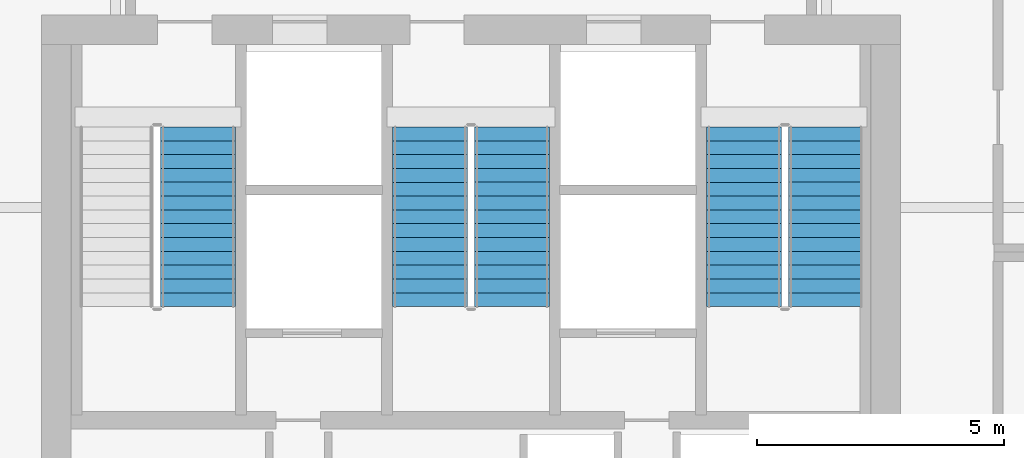
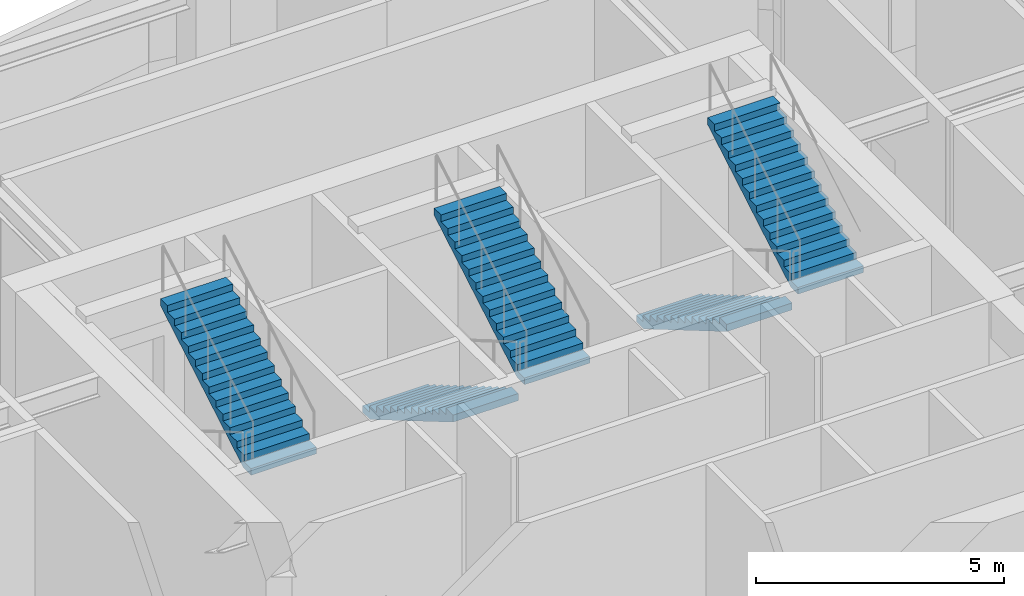
# One storey, part 5 of 9: 5 stair flights, 3 elements without a shape of their own.
"""IFC4 building model written with IfcOpenShell, lengths in metres."""

import ifcopenshell
import ifcopenshell.guid

model = None  # the IFC model being written
_history = None  # IfcOwnerHistory: only IFC2X3 demands one
_inside = {}  # id of a spatial element -> (the spatial element, [elements in it])
_under = {}  # id of a project, library or spatial element -> (it, [spatial elements below it])
_declared = {}  # id of a project -> (the project, [libraries it declares])
_typed = {}  # id of a type object -> (the type object, [elements of that type])
_made_of = {}  # id of a material, layer set ... -> (it, [elements and type objects made of it])


def new_model(schema):
    """Start an empty IFC model of exactly this schema.

    Asked for "IFC4X3", IfcOpenShell would pick the latest addendum, in which some entities
    have other attributes; the version numbers below select the first issue.
    IFC2X3 requires an IfcOwnerHistory on every rooted entity: one is made here for all.
    """
    global model, _history
    if schema == "IFC4X3":
        model = ifcopenshell.file(schema_version=(4, 3, 0, 0))
    else:
        model = ifcopenshell.file(schema=schema)
    _inside.clear()
    _under.clear()
    _declared.clear()
    _typed.clear()
    _made_of.clear()
    _history = None
    if model.schema == "IFC2X3":
        org = make("IfcOrganization", Name="unknown")
        user = make(
            "IfcPersonAndOrganization",
            ThePerson=make("IfcPerson", FamilyName="unknown"),
            TheOrganization=org,
        )
        app = make(
            "IfcApplication",
            ApplicationDeveloper=org,
            Version="unknown",
            ApplicationFullName="unknown",
            ApplicationIdentifier="unknown",
        )
        _history = make(
            "IfcOwnerHistory",
            OwningUser=user,
            OwningApplication=app,
            ChangeAction="ADDED",
            CreationDate=0,
        )
    return model


def make(cls, **values):
    """One entity of the class cls with the attributes given. An attribute that is None is left unset."""
    return model.create_entity(
        cls, **{name: value for name, value in values.items() if value is not None}
    )


def rooted(cls, **values):
    """An entity with a GlobalId (a new one), such as an element, a storey or a relation."""
    return make(cls, GlobalId=ifcopenshell.guid.new(), OwnerHistory=_history, **values)


def si_unit(unit_type, name, prefix=None):
    """IfcSIUnit, for example si_unit("LENGTHUNIT", "METRE", prefix="MILLI")."""
    return make("IfcSIUnit", UnitType=unit_type, Prefix=prefix, Name=name)


def assignment(units):
    """IfcUnitAssignment: the units of a project."""
    return None if units is None else make("IfcUnitAssignment", Units=units)


def point(xyz):
    """IfcCartesianPoint."""
    return None if xyz is None else make("IfcCartesianPoint", Coordinates=xyz)


def direction(xyz):
    """IfcDirection."""
    return None if xyz is None else make("IfcDirection", DirectionRatios=xyz)


def frame(location, z_axis=None, x_axis=None):
    """IfcAxis2Placement3D, a coordinate frame: its origin and axes. An axis left out is left unset."""
    return make(
        "IfcAxis2Placement3D",
        Location=point(location),
        Axis=direction(z_axis),
        RefDirection=direction(x_axis),
    )


def origin():
    """The frame at (0, 0, 0) with its axes left unset."""
    return frame((0.0, 0.0, 0.0))


def place(relative_to, where):
    """IfcLocalPlacement: puts the frame where relative to a parent placement (None: the world)."""
    return make(
        "IfcLocalPlacement", PlacementRelTo=relative_to, RelativePlacement=where
    )


def context(
    kind, dimensions, precision=None, world=None, true_north=None, identifier=None
):
    """IfcGeometricRepresentationContext, for example the 3D "Model" context."""
    return make(
        "IfcGeometricRepresentationContext",
        ContextIdentifier=identifier,
        ContextType=kind,
        CoordinateSpaceDimension=dimensions,
        Precision=precision,
        WorldCoordinateSystem=world,
        TrueNorth=true_north,
    )


def subcontext(parent, identifier, kind, view, scale=None):
    """IfcGeometricRepresentationSubContext, for example "Body" below "Model"."""
    return make(
        "IfcGeometricRepresentationSubContext",
        ContextIdentifier=identifier,
        ContextType=kind,
        ParentContext=parent,
        TargetScale=scale,
        TargetView=view,
    )


def project(units=None, contexts=None):
    """IfcProject with its units and contexts."""
    return rooted(
        "IfcProject",
        Name="project",
        RepresentationContexts=contexts,
        UnitsInContext=assignment(units),
    )


def spatial(cls, under=None, at=None, **own):
    """A site, building, storey or space (cls), placed at a placement, below another one or the project."""
    s = rooted(cls, ObjectPlacement=at, **own)
    if under is not None:
        _under.setdefault(under.id(), (under, []))[1].append(s)
    return s


def polyline(points):
    """IfcPolyline through the points."""
    return make("IfcPolyline", Points=[point(p) for p in points])


def outline(outer, holes=None, kind="AREA"):
    """IfcArbitraryClosedProfileDef: a profile drawn as a closed curve; with holes, ...WithVoids."""
    if holes is None:
        return make("IfcArbitraryClosedProfileDef", ProfileType=kind, OuterCurve=outer)
    return make(
        "IfcArbitraryProfileDefWithVoids",
        ProfileType=kind,
        OuterCurve=outer,
        InnerCurves=holes,
    )


def extrude(swept, where, along, depth):
    """IfcExtrudedAreaSolid: the profile swept, set in the frame where, extruded along a direction by depth."""
    return make(
        "IfcExtrudedAreaSolid",
        SweptArea=swept,
        Position=where,
        ExtrudedDirection=direction(along),
        Depth=depth,
    )


def shape(context_of_items, identifier, shape_type, items):
    """IfcShapeRepresentation: the items that make up one representation, for example the "Body"."""
    return make(
        "IfcShapeRepresentation",
        ContextOfItems=context_of_items,
        RepresentationIdentifier=identifier,
        RepresentationType=shape_type,
        Items=items,
    )


def material(Name=None, Category=None):
    """IfcMaterial."""
    return make("IfcMaterial", Name=Name, Category=Category)


def made_of(thing, what):
    """Note that an element or type object is made of a material, layer set ...; save() writes the relation."""
    if what is not None:
        _made_of.setdefault(what.id(), (what, []))[1].append(thing)
    return thing


def type_object(cls, material=None, **own):
    """A type object (cls), such as IfcWallType, which elements share."""
    return made_of(rooted(cls, **own), material)


def element(
    cls,
    number,
    at=None,
    inside=None,
    cuts=None,
    type_object=None,
    material=None,
    context=None,
    identifier="Body",
    shape_type=None,
    held_by="IfcProductDefinitionShape",
    body=None,
    shapes=None,
    **own,
):
    """One element of the class cls, such as IfcWall. Its Tag is "e" and its number.

    at: its placement. inside: the storey or other place that contains it. cuts: it is an
    opening in that element (IfcRelVoidsElement). A single representation is given by context,
    identifier, shape_type and body (its items); several are given by shapes. held_by: the class
    of the entity that holds the representations. save() writes the other relations.
    """
    e = rooted(cls, Tag="e%d" % number, ObjectPlacement=at, **own)
    if body is not None:
        shapes = [shape(context, identifier, shape_type, body)]
    if shapes is not None:
        e.Representation = make(held_by, Representations=shapes)
    if inside is not None:
        _inside.setdefault(inside.id(), (inside, []))[1].append(e)
    if cuts is not None:
        rooted(
            "IfcRelVoidsElement", RelatingBuildingElement=cuts, RelatedOpeningElement=e
        )
    if type_object is not None:
        _typed.setdefault(type_object.id(), (type_object, []))[1].append(e)
    return made_of(e, material)


def aggregate(whole, parts):
    """IfcRelAggregates: a whole, such as a stair, and the parts it consists of."""
    return rooted("IfcRelAggregates", RelatingObject=whole, RelatedObjects=parts)


def save(model, path):
    """Write the relations noted so far, then the file.

    IfcRelAggregates (storeys below a building ...), IfcRelContainedInSpatialStructure (elements
    in a storey), IfcRelDefinesByType, IfcRelAssociatesMaterial and IfcRelDeclares: one each for
    every whole, place, type object, material and project.
    """
    for whole, parts in _under.values():
        aggregate(whole, parts)
    for where, things in _inside.values():
        rooted(
            "IfcRelContainedInSpatialStructure",
            RelatedElements=things,
            RelatingStructure=where,
        )
    for kind, things in _typed.values():
        rooted("IfcRelDefinesByType", RelatedObjects=things, RelatingType=kind)
    for what, things in _made_of.values():
        rooted("IfcRelAssociatesMaterial", RelatedObjects=things, RelatingMaterial=what)
    for by, libraries in _declared.values():
        rooted("IfcRelDeclares", RelatingContext=by, RelatedDefinitions=libraries)
    model.write(path)


model = new_model("IFC4")

# Units and contexts
model_context = context("Model", 3, precision=1e-05, world=origin(), true_north=direction((0.0, 1.0)))
body_context = subcontext(model_context, "Body", "Model", "MODEL_VIEW")
ifc_project = project(units=[si_unit("LENGTHUNIT", "METRE"), si_unit("AREAUNIT", "SQUARE_METRE"), si_unit("VOLUMEUNIT", "CUBIC_METRE"), si_unit("PLANEANGLEUNIT", "RADIAN"), si_unit("MASSUNIT", "GRAM", prefix="KILO")], contexts=[model_context])

# Site, building, storey
site_placement = place(None, origin())
site = spatial("IfcSite", under=ifc_project, at=site_placement, CompositionType="ELEMENT")
building_placement = place(site_placement, origin())
building = spatial("IfcBuilding", under=site, at=building_placement, Name="Haolan Belvedere Tower", CompositionType="ELEMENT")
storey_placement = place(building_placement, frame((0.0, 0.0, 207.0)))
storey = spatial("IfcBuildingStorey", under=building, at=storey_placement, Name="L52", CompositionType="ELEMENT", Elevation=207.0)

# Stair, stair flight
ifc_material = material(Name="Concrete C40/50", Category="concrete")
stair_type = type_object("IfcStairType", Name="STR-DL-28R-164", PredefinedType="HALF_TURN_STAIR", material=ifc_material)
stair_1_placement = place(storey_placement, origin())
stair_1 = element("IfcStair", 1, at=stair_1_placement, inside=storey, type_object=stair_type, Name="L52 Smokeproof Core Exit Stair ST1", PredefinedType="HALF_TURN_STAIR")
stair_flight_type = type_object("IfcStairFlightType", Name="SFL-DL-14R-164", PredefinedType="STRAIGHT", material=ifc_material)
stair_flight_1_placement = place(storey_placement, frame((32.8701171875, 37.590087890625, 2.300048828125), z_axis=(0.0, 0.0, 1.0), x_axis=(0.0, 1.0, 0.0)))
stair_flight_1 = element("IfcStairFlight", 2, at=stair_flight_1_placement, type_object=stair_flight_type, Name="ST1 flight 2", NumberOfRisers=14, NumberOfTreads=13, PredefinedType="STRAIGHT", RiserHeight=0.164285714, TreadLength=0.28, context=body_context, shape_type="SweptSolid", body=[
    extrude(outline(polyline([(0.0, 0.0), (0.0, 0.164306640625), (0.280029296875, 0.164306640625), (0.280029296875, 0.32861328125), (0.56005859375, 0.32861328125), (0.56005859375, 0.492919921875), (0.840087890625, 0.492919921875), (0.840087890625, 0.6572265625), (1.1201171875, 0.6572265625), (1.1201171875, 0.821533203125), (1.39990234375, 0.821533203125), (1.39990234375, 0.985595703125), (1.679931640625, 0.985595703125), (1.679931640625, 1.14990234375), (1.9599609375, 1.14990234375), (1.9599609375, 1.314208984375), (2.239990234375, 1.314208984375), (2.239990234375, 1.478515625), (2.52001953125, 1.478515625), (2.52001953125, 1.642822265625), (2.800048828125, 1.642822265625), (2.800048828125, 1.80712890625), (3.080078125, 1.80712890625), (3.080078125, 1.971435546875), (3.360107421875, 1.971435546875), (3.360107421875, 2.1357421875), (3.639892578125, 2.1357421875), (3.639892578125, 2.300048828125), (3.639892578125, 1.9619140625), (0.296142578125, 0.0), (0.0, 0.0)])), frame((0.0, 0.760009765625, 0.0), z_axis=(0.0, -1.0, 0.0), x_axis=(1.0, 0.0, 0.0)), (0.0, 0.0, 1.0), 1.52001953125),
])
aggregate(stair_1, [stair_flight_1])

# Stair, stair flights
stair_2_placement = place(storey_placement, origin())
stair_2 = element("IfcStair", 3, at=stair_2_placement, inside=storey, type_object=stair_type, Name="L52 Smokeproof Core Exit Stair ST3", PredefinedType="HALF_TURN_STAIR")
stair_flight_2_placement = place(storey_placement, frame((37.570068359375, 41.22998046875, 0.0), z_axis=(0.0, 0.0, 1.0), x_axis=(0.0, -1.0, 0.0)))
stair_flight_2 = element("IfcStairFlight", 4, at=stair_flight_2_placement, type_object=stair_flight_type, Name="ST3 flight 1", NumberOfRisers=14, NumberOfTreads=13, PredefinedType="STRAIGHT", RiserHeight=0.164285714, TreadLength=0.28, context=body_context, shape_type="SweptSolid", body=[
    extrude(outline(polyline([(0.0, 0.0), (0.0, 0.164306640625), (0.280029296875, 0.164306640625), (0.280029296875, 0.32861328125), (0.56005859375, 0.32861328125), (0.56005859375, 0.492919921875), (0.840087890625, 0.492919921875), (0.840087890625, 0.6572265625), (1.1201171875, 0.6572265625), (1.1201171875, 0.821533203125), (1.39990234375, 0.821533203125), (1.39990234375, 0.985595703125), (1.679931640625, 0.985595703125), (1.679931640625, 1.14990234375), (1.9599609375, 1.14990234375), (1.9599609375, 1.314208984375), (2.239990234375, 1.314208984375), (2.239990234375, 1.478515625), (2.52001953125, 1.478515625), (2.52001953125, 1.642822265625), (2.800048828125, 1.642822265625), (2.800048828125, 1.80712890625), (3.080078125, 1.80712890625), (3.080078125, 1.971435546875), (3.360107421875, 1.971435546875), (3.360107421875, 2.1357421875), (3.639892578125, 2.1357421875), (3.639892578125, 2.300048828125), (3.639892578125, 1.9619140625), (0.296142578125, 0.0), (0.0, 0.0)])), frame((0.0, 0.760009765625, 0.0), z_axis=(0.0, -1.0, 0.0), x_axis=(1.0, 0.0, 0.0)), (0.0, 0.0, 1.0), 1.52001953125),
])
stair_flight_3_placement = place(storey_placement, frame((39.22998046875, 37.590087890625, 2.300048828125), z_axis=(0.0, 0.0, 1.0), x_axis=(0.0, 1.0, 0.0)))
stair_flight_3 = element("IfcStairFlight", 5, at=stair_flight_3_placement, type_object=stair_flight_type, Name="ST3 flight 2", NumberOfRisers=14, NumberOfTreads=13, PredefinedType="STRAIGHT", RiserHeight=0.164285714, TreadLength=0.28, context=body_context, shape_type="SweptSolid", body=[
    extrude(outline(polyline([(0.0, 0.0), (0.0, 0.164306640625), (0.280029296875, 0.164306640625), (0.280029296875, 0.32861328125), (0.56005859375, 0.32861328125), (0.56005859375, 0.492919921875), (0.840087890625, 0.492919921875), (0.840087890625, 0.6572265625), (1.1201171875, 0.6572265625), (1.1201171875, 0.821533203125), (1.39990234375, 0.821533203125), (1.39990234375, 0.985595703125), (1.679931640625, 0.985595703125), (1.679931640625, 1.14990234375), (1.9599609375, 1.14990234375), (1.9599609375, 1.314208984375), (2.239990234375, 1.314208984375), (2.239990234375, 1.478515625), (2.52001953125, 1.478515625), (2.52001953125, 1.642822265625), (2.800048828125, 1.642822265625), (2.800048828125, 1.80712890625), (3.080078125, 1.80712890625), (3.080078125, 1.971435546875), (3.360107421875, 1.971435546875), (3.360107421875, 2.1357421875), (3.639892578125, 2.1357421875), (3.639892578125, 2.300048828125), (3.639892578125, 1.9619140625), (0.296142578125, 0.0), (0.0, 0.0)])), frame((0.0, 0.760009765625, 0.0), z_axis=(0.0, -1.0, 0.0), x_axis=(1.0, 0.0, 0.0)), (0.0, 0.0, 1.0), 1.52001953125),
])
aggregate(stair_2, [stair_flight_2, stair_flight_3])

stair_3_placement = place(storey_placement, origin())
stair_3 = element("IfcStair", 6, at=stair_3_placement, inside=storey, type_object=stair_type, Name="L52 Smokeproof Core Exit Stair ST2", PredefinedType="HALF_TURN_STAIR")
stair_flight_4_placement = place(storey_placement, frame((43.929931640625, 41.22998046875, 0.0), z_axis=(0.0, 0.0, 1.0), x_axis=(0.0, -1.0, 0.0)))
stair_flight_4 = element("IfcStairFlight", 7, at=stair_flight_4_placement, type_object=stair_flight_type, Name="ST2 flight 1", NumberOfRisers=14, NumberOfTreads=13, PredefinedType="STRAIGHT", RiserHeight=0.164285714, TreadLength=0.28, context=body_context, shape_type="SweptSolid", body=[
    extrude(outline(polyline([(0.0, 0.0), (0.0, 0.164306640625), (0.280029296875, 0.164306640625), (0.280029296875, 0.32861328125), (0.56005859375, 0.32861328125), (0.56005859375, 0.492919921875), (0.840087890625, 0.492919921875), (0.840087890625, 0.6572265625), (1.1201171875, 0.6572265625), (1.1201171875, 0.821533203125), (1.39990234375, 0.821533203125), (1.39990234375, 0.985595703125), (1.679931640625, 0.985595703125), (1.679931640625, 1.14990234375), (1.9599609375, 1.14990234375), (1.9599609375, 1.314208984375), (2.239990234375, 1.314208984375), (2.239990234375, 1.478515625), (2.52001953125, 1.478515625), (2.52001953125, 1.642822265625), (2.800048828125, 1.642822265625), (2.800048828125, 1.80712890625), (3.080078125, 1.80712890625), (3.080078125, 1.971435546875), (3.360107421875, 1.971435546875), (3.360107421875, 2.1357421875), (3.639892578125, 2.1357421875), (3.639892578125, 2.300048828125), (3.639892578125, 1.9619140625), (0.296142578125, 0.0), (0.0, 0.0)])), frame((0.0, 0.760009765625, 0.0), z_axis=(0.0, -1.0, 0.0), x_axis=(1.0, 0.0, 0.0)), (0.0, 0.0, 1.0), 1.52001953125),
])
stair_flight_5_placement = place(storey_placement, frame((45.590087890625, 37.590087890625, 2.300048828125), z_axis=(0.0, 0.0, 1.0), x_axis=(0.0, 1.0, 0.0)))
stair_flight_5 = element("IfcStairFlight", 8, at=stair_flight_5_placement, type_object=stair_flight_type, Name="ST2 flight 2", NumberOfRisers=14, NumberOfTreads=13, PredefinedType="STRAIGHT", RiserHeight=0.164285714, TreadLength=0.28, context=body_context, shape_type="SweptSolid", body=[
    extrude(outline(polyline([(0.0, 0.0), (0.0, 0.164306640625), (0.280029296875, 0.164306640625), (0.280029296875, 0.32861328125), (0.56005859375, 0.32861328125), (0.56005859375, 0.492919921875), (0.840087890625, 0.492919921875), (0.840087890625, 0.6572265625), (1.1201171875, 0.6572265625), (1.1201171875, 0.821533203125), (1.39990234375, 0.821533203125), (1.39990234375, 0.985595703125), (1.679931640625, 0.985595703125), (1.679931640625, 1.14990234375), (1.9599609375, 1.14990234375), (1.9599609375, 1.314208984375), (2.239990234375, 1.314208984375), (2.239990234375, 1.478515625), (2.52001953125, 1.478515625), (2.52001953125, 1.642822265625), (2.800048828125, 1.642822265625), (2.800048828125, 1.80712890625), (3.080078125, 1.80712890625), (3.080078125, 1.971435546875), (3.360107421875, 1.971435546875), (3.360107421875, 2.1357421875), (3.639892578125, 2.1357421875), (3.639892578125, 2.300048828125), (3.639892578125, 1.9619140625), (0.296142578125, 0.0), (0.0, 0.0)])), frame((0.0, 0.760009765625, 0.0), z_axis=(0.0, -1.0, 0.0), x_axis=(1.0, 0.0, 0.0)), (0.0, 0.0, 1.0), 1.52001953125),
])
aggregate(stair_3, [stair_flight_4, stair_flight_5])

save(model, "model.ifc")
